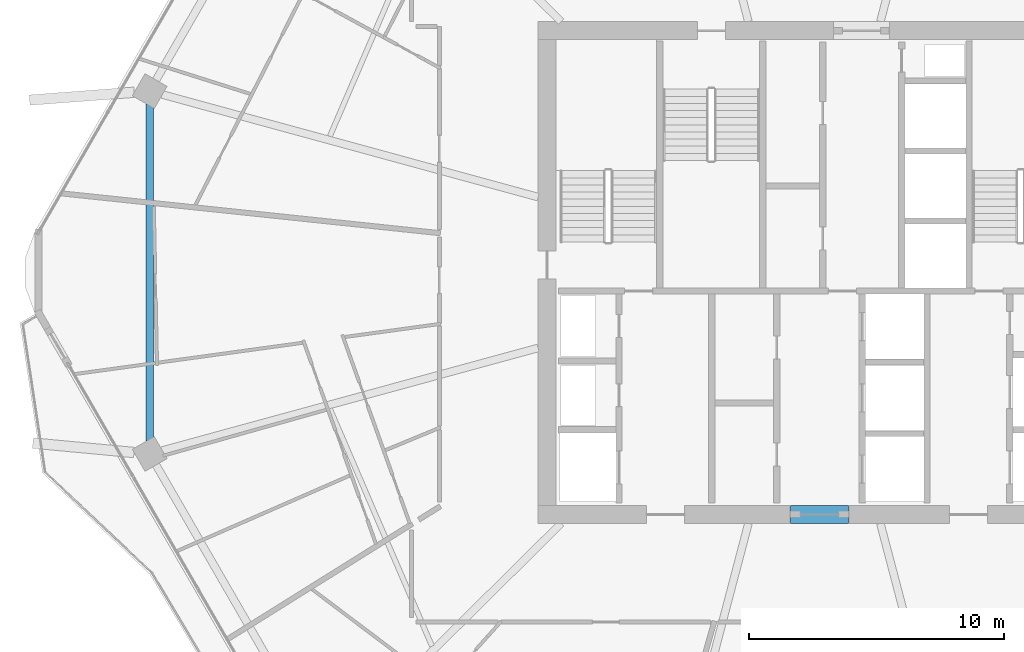
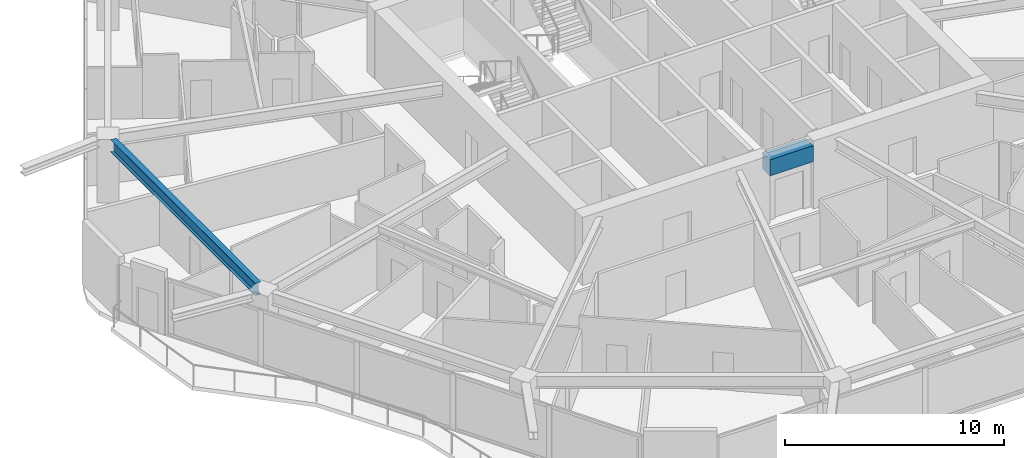
# One storey, part 6 of 26: 2 beams.
"""IFC4 building model written with IfcOpenShell, lengths in metres."""

from ifc_helpers import new_model, si_unit, direction, frame, origin, origin_2d, place, context, subcontext, project, spatial, rectangle, i_section, extrude, material, material_profile, profile_set, type_object, element, save


model = new_model("IFC4")

# Units and contexts
model_context = context("Model", 3, precision=1e-05, world=origin(), true_north=direction((0.0, 1.0)))
body_context = subcontext(model_context, "Body", "Model", "MODEL_VIEW")
ifc_project = project(units=[si_unit("LENGTHUNIT", "METRE"), si_unit("AREAUNIT", "SQUARE_METRE"), si_unit("VOLUMEUNIT", "CUBIC_METRE"), si_unit("PLANEANGLEUNIT", "RADIAN"), si_unit("MASSUNIT", "GRAM", prefix="KILO")], contexts=[model_context])

# Site, building, storey
site_placement = place(None, origin())
site = spatial("IfcSite", under=ifc_project, at=site_placement, CompositionType="ELEMENT")
building_placement = place(site_placement, origin())
building = spatial("IfcBuilding", under=site, at=building_placement, Name="Zuhravey Tower", CompositionType="ELEMENT")
storey_placement = place(building_placement, frame((0.0, 0.0, 158.0)))
storey = spatial("IfcBuildingStorey", under=building, at=storey_placement, Name="L39", CompositionType="ELEMENT", Elevation=158.0)

# Beams
ifc_material_1 = material(Name="Concrete C60/75", Category="concrete")
ifc_material_profile_1 = material_profile(ifc_material_1, rectangle(XDim=0.699951171875, YDim=0.89990234375, at=origin_2d()), Name="RC-700x900")
ifc_profile_set_1 = profile_set([ifc_material_profile_1], Name="Concrete C60/75")
beam_type_1 = type_object("IfcBeamType", Name="Core Coupling Beam RC700x900", PredefinedType="LINTEL", material=ifc_profile_set_1)
beam_1_placement = place(storey_placement, frame((35.052001953125, 22.5, 3.10009765625), z_axis=(1.0, 0.0, 0.0), x_axis=(0.0, 1.0, 0.0)))
element("IfcBeam", 1, at=beam_1_placement, inside=storey, type_object=beam_type_1, Name="L39 CB1 BM-L39-CB-S", PredefinedType="LINTEL", context=body_context, shape_type="SweptSolid", body=[
    extrude(rectangle(XDim=0.699951171875, YDim=0.89990234375, at=origin_2d()), origin(), (0.0, 0.0, 1.0), 2.2958984375),
])
ifc_material_2 = material(Name="Steel SM355", Category="steel")
ifc_material_profile_2 = material_profile(ifc_material_2, i_section(OverallWidth=0.300048828125, OverallDepth=0.679931640625, WebThickness=0.012939453125, FlangeThickness=0.02197265625, at=origin_2d()), Name="H-680x300x13x22")
ifc_profile_set_2 = profile_set([ifc_material_profile_2], Name="Steel SM355")
beam_type_2 = type_object("IfcBeamType", Name="Perimeter Ring Beam H680x300", PredefinedType="BEAM", material=ifc_profile_set_2)
beam_2_placement = place(storey_placement, frame((9.892333984375, 38.62353515625, 3.2099609375), z_axis=(0.0, -1.0, 0.0), x_axis=(1.0, 0.0, 0.0)))
element("IfcBeam", 2, at=beam_2_placement, inside=storey, type_object=beam_type_2, Name="L39 PB2 BM-L39-PB-06", PredefinedType="BEAM", context=body_context, shape_type="SweptSolid", body=[
    extrude(i_section(OverallWidth=0.300048828125, OverallDepth=0.679931640625, WebThickness=0.012939453125, FlangeThickness=0.02197265625, at=origin_2d()), origin(), (0.0, 0.0, 1.0), 13.2470703125),
])

save(model, "model.ifc")
